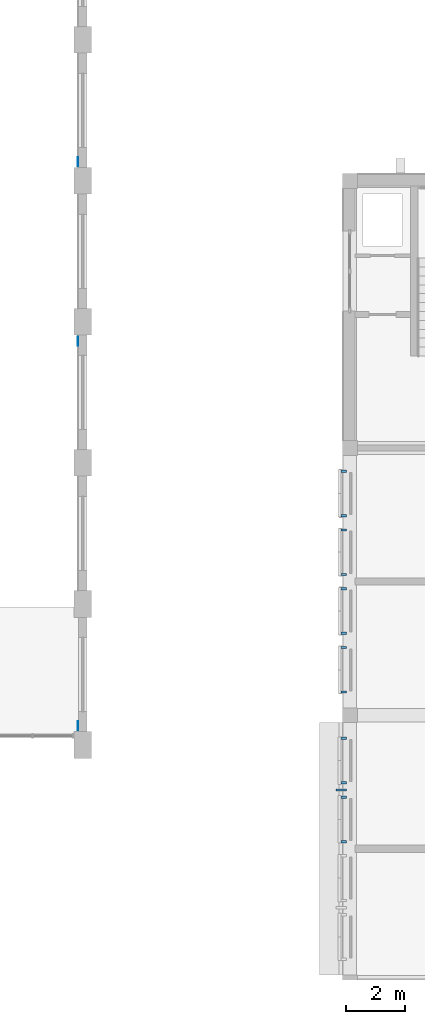
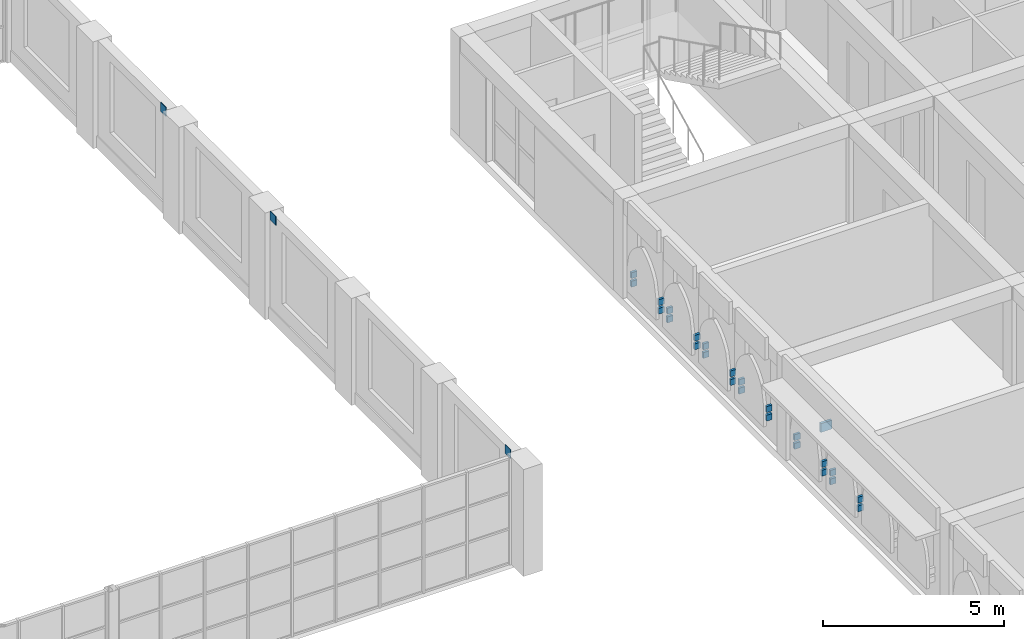
# One storey, part 49 of 70: 28 discrete accessories.
"""IFC4 building model written with IfcOpenShell, lengths in metres."""

import ifcopenshell
import ifcopenshell.guid

model = None  # the IFC model being written
_history = None  # IfcOwnerHistory: only IFC2X3 demands one
_inside = {}  # id of a spatial element -> (the spatial element, [elements in it])
_under = {}  # id of a project, library or spatial element -> (it, [spatial elements below it])
_declared = {}  # id of a project -> (the project, [libraries it declares])
_typed = {}  # id of a type object -> (the type object, [elements of that type])
_made_of = {}  # id of a material, layer set ... -> (it, [elements and type objects made of it])


def new_model(schema):
    """Start an empty IFC model of exactly this schema.

    Asked for "IFC4X3", IfcOpenShell would pick the latest addendum, in which some entities
    have other attributes; the version numbers below select the first issue.
    IFC2X3 requires an IfcOwnerHistory on every rooted entity: one is made here for all.
    """
    global model, _history
    if schema == "IFC4X3":
        model = ifcopenshell.file(schema_version=(4, 3, 0, 0))
    else:
        model = ifcopenshell.file(schema=schema)
    _inside.clear()
    _under.clear()
    _declared.clear()
    _typed.clear()
    _made_of.clear()
    _history = None
    if model.schema == "IFC2X3":
        org = make("IfcOrganization", Name="unknown")
        user = make(
            "IfcPersonAndOrganization",
            ThePerson=make("IfcPerson", FamilyName="unknown"),
            TheOrganization=org,
        )
        app = make(
            "IfcApplication",
            ApplicationDeveloper=org,
            Version="unknown",
            ApplicationFullName="unknown",
            ApplicationIdentifier="unknown",
        )
        _history = make(
            "IfcOwnerHistory",
            OwningUser=user,
            OwningApplication=app,
            ChangeAction="ADDED",
            CreationDate=0,
        )
    return model


def make(cls, **values):
    """One entity of the class cls with the attributes given. An attribute that is None is left unset."""
    return model.create_entity(
        cls, **{name: value for name, value in values.items() if value is not None}
    )


def rooted(cls, **values):
    """An entity with a GlobalId (a new one), such as an element, a storey or a relation."""
    return make(cls, GlobalId=ifcopenshell.guid.new(), OwnerHistory=_history, **values)


def si_unit(unit_type, name, prefix=None):
    """IfcSIUnit, for example si_unit("LENGTHUNIT", "METRE", prefix="MILLI")."""
    return make("IfcSIUnit", UnitType=unit_type, Prefix=prefix, Name=name)


def assignment(units):
    """IfcUnitAssignment: the units of a project."""
    return None if units is None else make("IfcUnitAssignment", Units=units)


def point(xyz):
    """IfcCartesianPoint."""
    return None if xyz is None else make("IfcCartesianPoint", Coordinates=xyz)


def direction(xyz):
    """IfcDirection."""
    return None if xyz is None else make("IfcDirection", DirectionRatios=xyz)


def frame(location, z_axis=None, x_axis=None):
    """IfcAxis2Placement3D, a coordinate frame: its origin and axes. An axis left out is left unset."""
    return make(
        "IfcAxis2Placement3D",
        Location=point(location),
        Axis=direction(z_axis),
        RefDirection=direction(x_axis),
    )


def frame_2d(location, x_axis=None):
    """IfcAxis2Placement2D, a coordinate frame in the plane: its origin and x axis."""
    return make(
        "IfcAxis2Placement2D", Location=point(location), RefDirection=direction(x_axis)
    )


def origin():
    """The frame at (0, 0, 0) with its axes left unset."""
    return frame((0.0, 0.0, 0.0))


def origin_2d():
    """The frame at (0, 0) in the plane with its x axis left unset."""
    return frame_2d((0.0, 0.0))


def place(relative_to, where):
    """IfcLocalPlacement: puts the frame where relative to a parent placement (None: the world)."""
    return make(
        "IfcLocalPlacement", PlacementRelTo=relative_to, RelativePlacement=where
    )


def context(
    kind, dimensions, precision=None, world=None, true_north=None, identifier=None
):
    """IfcGeometricRepresentationContext, for example the 3D "Model" context."""
    return make(
        "IfcGeometricRepresentationContext",
        ContextIdentifier=identifier,
        ContextType=kind,
        CoordinateSpaceDimension=dimensions,
        Precision=precision,
        WorldCoordinateSystem=world,
        TrueNorth=true_north,
    )


def subcontext(parent, identifier, kind, view, scale=None):
    """IfcGeometricRepresentationSubContext, for example "Body" below "Model"."""
    return make(
        "IfcGeometricRepresentationSubContext",
        ContextIdentifier=identifier,
        ContextType=kind,
        ParentContext=parent,
        TargetScale=scale,
        TargetView=view,
    )


def project(units=None, contexts=None):
    """IfcProject with its units and contexts."""
    return rooted(
        "IfcProject",
        Name="project",
        RepresentationContexts=contexts,
        UnitsInContext=assignment(units),
    )


def spatial(cls, under=None, at=None, **own):
    """A site, building, storey or space (cls), placed at a placement, below another one or the project."""
    s = rooted(cls, ObjectPlacement=at, **own)
    if under is not None:
        _under.setdefault(under.id(), (under, []))[1].append(s)
    return s


def profile(cls, at=None, kind="AREA", **sizes):
    """A parametric profile (cls). Its sizes go by their IFC names, for example OverallWidth=200.0."""
    return make(cls, ProfileType=kind, Position=at, **sizes)


def rectangle(**sizes):
    """IfcRectangleProfileDef."""
    return profile("IfcRectangleProfileDef", **sizes)


def extrude(swept, where, along, depth):
    """IfcExtrudedAreaSolid: the profile swept, set in the frame where, extruded along a direction by depth."""
    return make(
        "IfcExtrudedAreaSolid",
        SweptArea=swept,
        Position=where,
        ExtrudedDirection=direction(along),
        Depth=depth,
    )


def shape(context_of_items, identifier, shape_type, items):
    """IfcShapeRepresentation: the items that make up one representation, for example the "Body"."""
    return make(
        "IfcShapeRepresentation",
        ContextOfItems=context_of_items,
        RepresentationIdentifier=identifier,
        RepresentationType=shape_type,
        Items=items,
    )


def material(Name=None, Category=None):
    """IfcMaterial."""
    return make("IfcMaterial", Name=Name, Category=Category)


def layer(
    of_material, thickness, ventilated=None, Name=None, Category=None, Priority=None
):
    """IfcMaterialLayer: one layer of a wall or slab, of a material (None: an air gap)."""
    return make(
        "IfcMaterialLayer",
        Material=of_material,
        LayerThickness=thickness,
        IsVentilated=ventilated,
        Name=Name,
        Category=Category,
        Priority=Priority,
    )


def layer_set(layers, Name=None):
    """IfcMaterialLayerSet."""
    return make("IfcMaterialLayerSet", MaterialLayers=layers, LayerSetName=Name)


def made_of(thing, what):
    """Note that an element or type object is made of a material, layer set ...; save() writes the relation."""
    if what is not None:
        _made_of.setdefault(what.id(), (what, []))[1].append(thing)
    return thing


def type_object(cls, material=None, **own):
    """A type object (cls), such as IfcWallType, which elements share."""
    return made_of(rooted(cls, **own), material)


def element(
    cls,
    number,
    at=None,
    inside=None,
    cuts=None,
    type_object=None,
    material=None,
    context=None,
    identifier="Body",
    shape_type=None,
    held_by="IfcProductDefinitionShape",
    body=None,
    shapes=None,
    **own,
):
    """One element of the class cls, such as IfcWall. Its Tag is "e" and its number.

    at: its placement. inside: the storey or other place that contains it. cuts: it is an
    opening in that element (IfcRelVoidsElement). A single representation is given by context,
    identifier, shape_type and body (its items); several are given by shapes. held_by: the class
    of the entity that holds the representations. save() writes the other relations.
    """
    e = rooted(cls, Tag="e%d" % number, ObjectPlacement=at, **own)
    if body is not None:
        shapes = [shape(context, identifier, shape_type, body)]
    if shapes is not None:
        e.Representation = make(held_by, Representations=shapes)
    if inside is not None:
        _inside.setdefault(inside.id(), (inside, []))[1].append(e)
    if cuts is not None:
        rooted(
            "IfcRelVoidsElement", RelatingBuildingElement=cuts, RelatedOpeningElement=e
        )
    if type_object is not None:
        _typed.setdefault(type_object.id(), (type_object, []))[1].append(e)
    return made_of(e, material)


def aggregate(whole, parts):
    """IfcRelAggregates: a whole, such as a stair, and the parts it consists of."""
    return rooted("IfcRelAggregates", RelatingObject=whole, RelatedObjects=parts)


def save(model, path):
    """Write the relations noted so far, then the file.

    IfcRelAggregates (storeys below a building ...), IfcRelContainedInSpatialStructure (elements
    in a storey), IfcRelDefinesByType, IfcRelAssociatesMaterial and IfcRelDeclares: one each for
    every whole, place, type object, material and project.
    """
    for whole, parts in _under.values():
        aggregate(whole, parts)
    for where, things in _inside.values():
        rooted(
            "IfcRelContainedInSpatialStructure",
            RelatedElements=things,
            RelatingStructure=where,
        )
    for kind, things in _typed.values():
        rooted("IfcRelDefinesByType", RelatedObjects=things, RelatingType=kind)
    for what, things in _made_of.values():
        rooted("IfcRelAssociatesMaterial", RelatedObjects=things, RelatingMaterial=what)
    for by, libraries in _declared.values():
        rooted("IfcRelDeclares", RelatingContext=by, RelatedDefinitions=libraries)
    model.write(path)


model = new_model("IFC4")

# Units and contexts
model_context = context("Model", 3, precision=1e-05, world=origin(), true_north=direction((0.0, 1.0)))
body_context = subcontext(model_context, "Body", "Model", "MODEL_VIEW")
ifc_project = project(units=[si_unit("LENGTHUNIT", "METRE"), si_unit("AREAUNIT", "SQUARE_METRE"), si_unit("VOLUMEUNIT", "CUBIC_METRE"), si_unit("PLANEANGLEUNIT", "RADIAN"), si_unit("MASSUNIT", "GRAM", prefix="KILO")], contexts=[model_context])

# Site, building, storey
site_placement = place(None, origin())
site = spatial("IfcSite", under=ifc_project, at=site_placement, CompositionType="ELEMENT")
building_placement = place(site_placement, origin())
building = spatial("IfcBuilding", under=site, at=building_placement, Name="Elbe Cascade School", CompositionType="ELEMENT")
storey_placement = place(building_placement, frame((0.0, 0.0, 8.10009765625)))
storey = spatial("IfcBuildingStorey", under=building, at=storey_placement, Name="L02", CompositionType="ELEMENT", Elevation=8.10009765625)

# Discrete accessories
ifc_material_1 = material(Name="Steel S355J2, hot-dip galvanised", Category="steel")
discrete_accessory_type_1 = type_object("IfcDiscreteAccessoryType", Name="Bars envelope Bracket, galvanised steel", PredefinedType="BRACKET", material=ifc_material_1)
discrete_accessory_placement = place(storey_placement, frame((68.705078125, 39.47998046875, 2.4296875), z_axis=(0.0, 0.0, 1.0), x_axis=(0.0, 1.0, 0.0)))
element("IfcDiscreteAccessory", 1, at=discrete_accessory_placement, inside=storey, type_object=discrete_accessory_type_1, Name="Bracket AC7 eave.w.4.br2", PredefinedType="BRACKET", context=body_context, shape_type="SweptSolid", body=[
    extrude(rectangle(XDim=0.080078125, YDim=0.35009765625, at=origin_2d()), origin(), (0.0, 0.0, 1.0), 0.300048828125),
])
for number, where, z_axis, x_axis, name in (
    (2, (68.7900390625, 37.739990234375, 0.75), (0.0, 0.0, 1.0), (0.0, 1.0, 0.0), "Bracket AC7 jali.w.4.br3ll"),
    (3, (68.7900390625, 37.739990234375, 1.0400390625), (0.0, 0.0, 1.0), (0.0, 1.0, 0.0), "Bracket AC7 jali.w.4.br3lu"),
    (4, (68.7900390625, 39.239990234375, 0.75), (0.0, 0.0, 1.0), (0.0, 1.0, 0.0), "Bracket AC7 jali.w.4.br3rl"),
    (5, (68.7900390625, 39.239990234375, 1.0400390625), (0.0, 0.0, 1.0), (0.0, 1.0, 0.0), "Bracket AC7 jali.w.4.br3ru"),
    (6, (68.7900390625, 39.719970703125, 0.75), (0.0, 0.0, 1.0), (0.0, 1.0, 0.0), "Bracket AC7 jali.w.4.br4ll"),
    (7, (68.7900390625, 39.719970703125, 1.0400390625), (0.0, 0.0, 1.0), (0.0, 1.0, 0.0), "Bracket AC7 jali.w.4.br4lu"),
    (8, (68.7900390625, 41.219970703125, 0.75), (0.0, 0.0, 1.0), (0.0, 1.0, 0.0), "Bracket AC7 jali.w.4.br4rl"),
    (9, (68.7900390625, 41.219970703125, 1.0400390625), (0.0, 0.0, 1.0), (0.0, 1.0, 0.0), "Bracket AC7 jali.w.4.br4ru"),
    (10, (68.7900390625, 42.780029296875, 0.75), (0.0, 0.0, 1.0), (0.0, 1.0, 0.0), "Bracket AC7 jali.w.5.br1ll"),
    (11, (68.7900390625, 42.780029296875, 1.0400390625), (0.0, 0.0, 1.0), (0.0, 1.0, 0.0), "Bracket AC7 jali.w.5.br1lu"),
    (12, (68.7900390625, 44.280029296875, 0.75), (0.0, 0.0, 1.0), (0.0, 1.0, 0.0), "Bracket AC7 jali.w.5.br1rl"),
    (13, (68.7900390625, 44.280029296875, 1.0400390625), (0.0, 0.0, 1.0), (0.0, 1.0, 0.0), "Bracket AC7 jali.w.5.br1ru"),
    (14, (68.7900390625, 44.760009765625, 0.75), (0.0, 0.0, 1.0), (0.0, 1.0, 0.0), "Bracket AC7 jali.w.5.br2ll"),
    (15, (68.7900390625, 44.760009765625, 1.0400390625), (0.0, 0.0, 1.0), (0.0, 1.0, 0.0), "Bracket AC7 jali.w.5.br2lu"),
    (16, (68.7900390625, 46.260009765625, 0.75), (0.0, 0.0, 1.0), (0.0, 1.0, 0.0), "Bracket AC7 jali.w.5.br2rl"),
    (17, (68.7900390625, 46.260009765625, 1.0400390625), (0.0, 0.0, 1.0), (0.0, 1.0, 0.0), "Bracket AC7 jali.w.5.br2ru"),
    (18, (68.7900390625, 46.739990234375, 0.75), (0.0, 0.0, 1.0), (0.0, 1.0, 0.0), "Bracket AC7 jali.w.5.br3ll"),
    (19, (68.7900390625, 46.739990234375, 1.0400390625), (0.0, 0.0, 1.0), (0.0, 1.0, 0.0), "Bracket AC7 jali.w.5.br3lu"),
    (20, (68.7900390625, 48.239990234375, 0.75), (0.0, 0.0, 1.0), (0.0, 1.0, 0.0), "Bracket AC7 jali.w.5.br3rl"),
    (21, (68.7900390625, 48.239990234375, 1.0400390625), (0.0, 0.0, 1.0), (0.0, 1.0, 0.0), "Bracket AC7 jali.w.5.br3ru"),
    (22, (68.7900390625, 48.719970703125, 0.75), (0.0, 0.0, 1.0), (0.0, 1.0, 0.0), "Bracket AC7 jali.w.5.br4ll"),
    (23, (68.7900390625, 48.719970703125, 1.0400390625), (0.0, 0.0, 1.0), (0.0, 1.0, 0.0), "Bracket AC7 jali.w.5.br4lu"),
    (24, (68.7900390625, 50.219970703125, 0.75), (0.0, 0.0, 1.0), (0.0, 1.0, 0.0), "Bracket AC7 jali.w.5.br4rl"),
    (25, (68.7900390625, 50.219970703125, 1.0400390625), (0.0, 0.0, 1.0), (0.0, 1.0, 0.0), "Bracket AC7 jali.w.5.br4ru"),
):
    element("IfcDiscreteAccessory", number, at=place(storey_placement, frame(where, z_axis=z_axis, x_axis=x_axis)), inside=storey, type_object=discrete_accessory_type_1, Name=name, PredefinedType="BRACKET", context=body_context, shape_type="SweptSolid", body=[
        extrude(rectangle(XDim=0.080078125, YDim=0.179931640625, at=origin_2d()), origin(), (0.0, 0.0, 1.0), 0.199951171875),
    ])
ifc_material_2 = material(Name="Steel S355J2", Category="steel")
ifc_layer = layer(ifc_material_2, 0.02001953125)
ifc_layer_set = layer_set([ifc_layer], Name="Steel S355J2")
discrete_accessory_type_2 = type_object("IfcDiscreteAccessoryType", Name="Wall brace end plate", PredefinedType="BRACKET", material=ifc_layer_set)
for number, where, z_axis, x_axis, name in (
    (26, (59.840087890625, 41.64990234375, 3.35009765625), (0.0, 0.0, 1.0), (1.0, 0.0, 0.0), "Wall brace end plate AC3"),
    (27, (59.840087890625, 54.60009765625, 3.35009765625), (0.0, 0.0, 1.0), (1.0, 0.0, 0.0), "Wall brace end plate AC3"),
    (28, (59.840087890625, 60.64990234375, 3.35009765625), (0.0, 0.0, 1.0), (1.0, 0.0, 0.0), "Wall brace end plate AC3"),
):
    element("IfcDiscreteAccessory", number, at=place(storey_placement, frame(where, z_axis=z_axis, x_axis=x_axis)), inside=storey, type_object=discrete_accessory_type_2, Name=name, PredefinedType="BRACKET", context=body_context, shape_type="SweptSolid", body=[
        extrude(rectangle(XDim=0.02001953125, YDim=0.300048828125, at=origin_2d()), origin(), (0.0, 0.0, 1.0), 0.300048828125),
    ])

save(model, "model.ifc")
